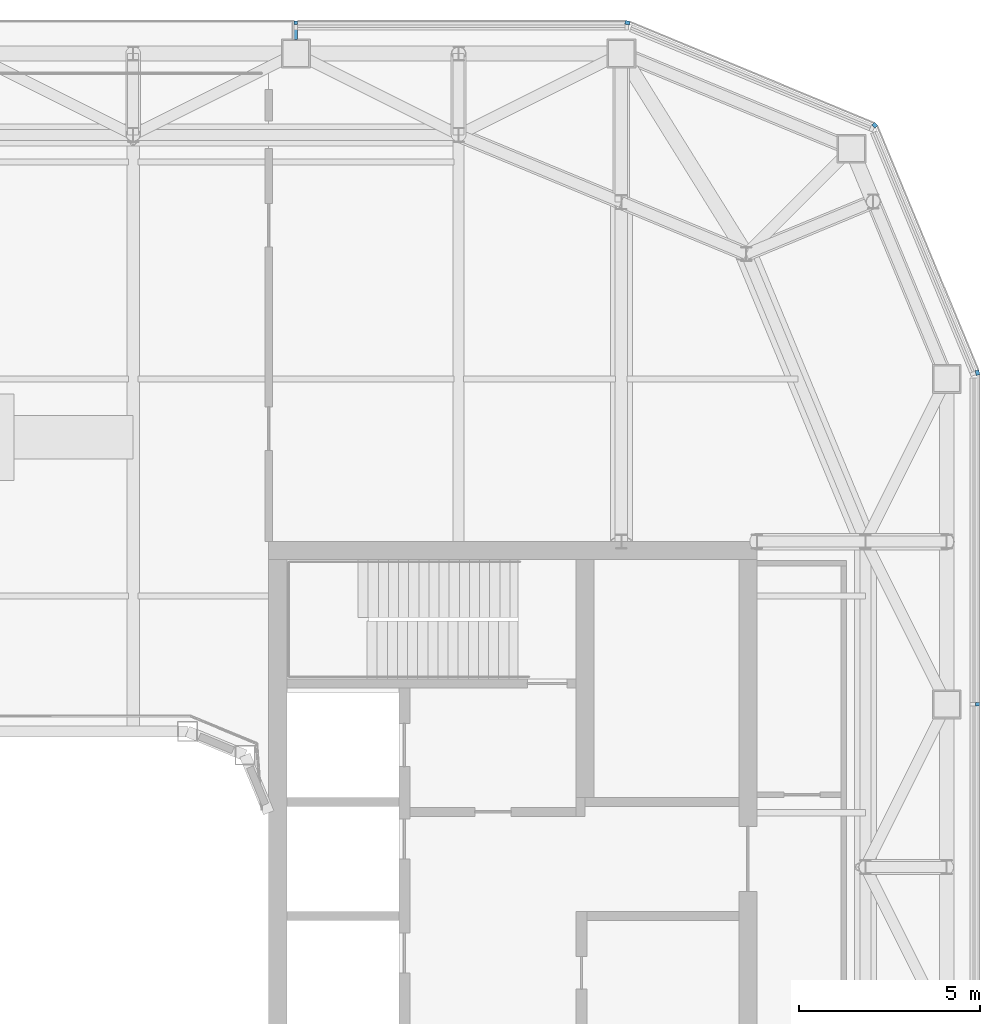
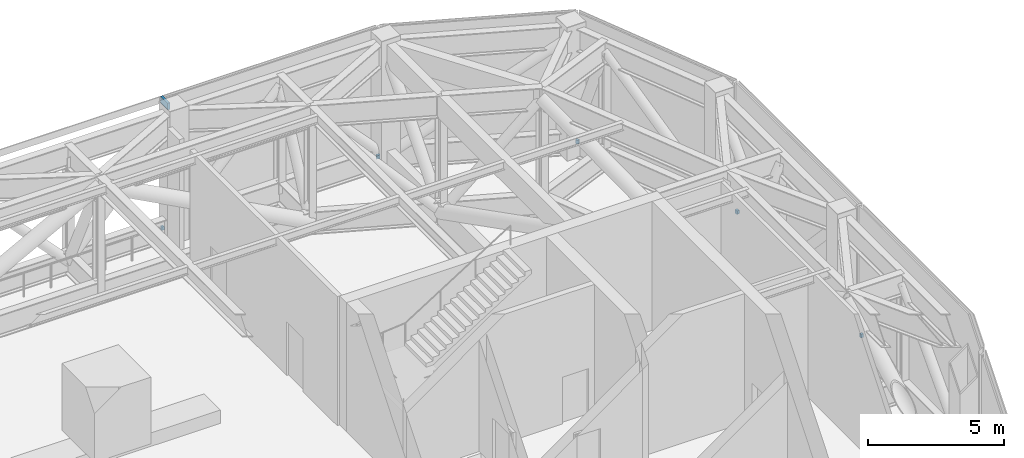
# One storey, part 17 of 21: 6 discrete accessories.
"""IFC4 building model written with IfcOpenShell, lengths in metres."""

import ifcopenshell
import ifcopenshell.guid

model = None  # the IFC model being written
_history = None  # IfcOwnerHistory: only IFC2X3 demands one
_inside = {}  # id of a spatial element -> (the spatial element, [elements in it])
_under = {}  # id of a project, library or spatial element -> (it, [spatial elements below it])
_declared = {}  # id of a project -> (the project, [libraries it declares])
_typed = {}  # id of a type object -> (the type object, [elements of that type])
_made_of = {}  # id of a material, layer set ... -> (it, [elements and type objects made of it])


def new_model(schema):
    """Start an empty IFC model of exactly this schema.

    Asked for "IFC4X3", IfcOpenShell would pick the latest addendum, in which some entities
    have other attributes; the version numbers below select the first issue.
    IFC2X3 requires an IfcOwnerHistory on every rooted entity: one is made here for all.
    """
    global model, _history
    if schema == "IFC4X3":
        model = ifcopenshell.file(schema_version=(4, 3, 0, 0))
    else:
        model = ifcopenshell.file(schema=schema)
    _inside.clear()
    _under.clear()
    _declared.clear()
    _typed.clear()
    _made_of.clear()
    _history = None
    if model.schema == "IFC2X3":
        org = make("IfcOrganization", Name="unknown")
        user = make(
            "IfcPersonAndOrganization",
            ThePerson=make("IfcPerson", FamilyName="unknown"),
            TheOrganization=org,
        )
        app = make(
            "IfcApplication",
            ApplicationDeveloper=org,
            Version="unknown",
            ApplicationFullName="unknown",
            ApplicationIdentifier="unknown",
        )
        _history = make(
            "IfcOwnerHistory",
            OwningUser=user,
            OwningApplication=app,
            ChangeAction="ADDED",
            CreationDate=0,
        )
    return model


def make(cls, **values):
    """One entity of the class cls with the attributes given. An attribute that is None is left unset."""
    return model.create_entity(
        cls, **{name: value for name, value in values.items() if value is not None}
    )


def rooted(cls, **values):
    """An entity with a GlobalId (a new one), such as an element, a storey or a relation."""
    return make(cls, GlobalId=ifcopenshell.guid.new(), OwnerHistory=_history, **values)


def si_unit(unit_type, name, prefix=None):
    """IfcSIUnit, for example si_unit("LENGTHUNIT", "METRE", prefix="MILLI")."""
    return make("IfcSIUnit", UnitType=unit_type, Prefix=prefix, Name=name)


def assignment(units):
    """IfcUnitAssignment: the units of a project."""
    return None if units is None else make("IfcUnitAssignment", Units=units)


def point(xyz):
    """IfcCartesianPoint."""
    return None if xyz is None else make("IfcCartesianPoint", Coordinates=xyz)


def direction(xyz):
    """IfcDirection."""
    return None if xyz is None else make("IfcDirection", DirectionRatios=xyz)


def frame(location, z_axis=None, x_axis=None):
    """IfcAxis2Placement3D, a coordinate frame: its origin and axes. An axis left out is left unset."""
    return make(
        "IfcAxis2Placement3D",
        Location=point(location),
        Axis=direction(z_axis),
        RefDirection=direction(x_axis),
    )


def frame_2d(location, x_axis=None):
    """IfcAxis2Placement2D, a coordinate frame in the plane: its origin and x axis."""
    return make(
        "IfcAxis2Placement2D", Location=point(location), RefDirection=direction(x_axis)
    )


def origin():
    """The frame at (0, 0, 0) with its axes left unset."""
    return frame((0.0, 0.0, 0.0))


def origin_2d():
    """The frame at (0, 0) in the plane with its x axis left unset."""
    return frame_2d((0.0, 0.0))


def place(relative_to, where):
    """IfcLocalPlacement: puts the frame where relative to a parent placement (None: the world)."""
    return make(
        "IfcLocalPlacement", PlacementRelTo=relative_to, RelativePlacement=where
    )


def context(
    kind, dimensions, precision=None, world=None, true_north=None, identifier=None
):
    """IfcGeometricRepresentationContext, for example the 3D "Model" context."""
    return make(
        "IfcGeometricRepresentationContext",
        ContextIdentifier=identifier,
        ContextType=kind,
        CoordinateSpaceDimension=dimensions,
        Precision=precision,
        WorldCoordinateSystem=world,
        TrueNorth=true_north,
    )


def subcontext(parent, identifier, kind, view, scale=None):
    """IfcGeometricRepresentationSubContext, for example "Body" below "Model"."""
    return make(
        "IfcGeometricRepresentationSubContext",
        ContextIdentifier=identifier,
        ContextType=kind,
        ParentContext=parent,
        TargetScale=scale,
        TargetView=view,
    )


def project(units=None, contexts=None):
    """IfcProject with its units and contexts."""
    return rooted(
        "IfcProject",
        Name="project",
        RepresentationContexts=contexts,
        UnitsInContext=assignment(units),
    )


def spatial(cls, under=None, at=None, **own):
    """A site, building, storey or space (cls), placed at a placement, below another one or the project."""
    s = rooted(cls, ObjectPlacement=at, **own)
    if under is not None:
        _under.setdefault(under.id(), (under, []))[1].append(s)
    return s


def profile(cls, at=None, kind="AREA", **sizes):
    """A parametric profile (cls). Its sizes go by their IFC names, for example OverallWidth=200.0."""
    return make(cls, ProfileType=kind, Position=at, **sizes)


def rectangle(**sizes):
    """IfcRectangleProfileDef."""
    return profile("IfcRectangleProfileDef", **sizes)


def extrude(swept, where, along, depth):
    """IfcExtrudedAreaSolid: the profile swept, set in the frame where, extruded along a direction by depth."""
    return make(
        "IfcExtrudedAreaSolid",
        SweptArea=swept,
        Position=where,
        ExtrudedDirection=direction(along),
        Depth=depth,
    )


def shape(context_of_items, identifier, shape_type, items):
    """IfcShapeRepresentation: the items that make up one representation, for example the "Body"."""
    return make(
        "IfcShapeRepresentation",
        ContextOfItems=context_of_items,
        RepresentationIdentifier=identifier,
        RepresentationType=shape_type,
        Items=items,
    )


def material(Name=None, Category=None):
    """IfcMaterial."""
    return make("IfcMaterial", Name=Name, Category=Category)


def made_of(thing, what):
    """Note that an element or type object is made of a material, layer set ...; save() writes the relation."""
    if what is not None:
        _made_of.setdefault(what.id(), (what, []))[1].append(thing)
    return thing


def type_object(cls, material=None, **own):
    """A type object (cls), such as IfcWallType, which elements share."""
    return made_of(rooted(cls, **own), material)


def element(
    cls,
    number,
    at=None,
    inside=None,
    cuts=None,
    type_object=None,
    material=None,
    context=None,
    identifier="Body",
    shape_type=None,
    held_by="IfcProductDefinitionShape",
    body=None,
    shapes=None,
    **own,
):
    """One element of the class cls, such as IfcWall. Its Tag is "e" and its number.

    at: its placement. inside: the storey or other place that contains it. cuts: it is an
    opening in that element (IfcRelVoidsElement). A single representation is given by context,
    identifier, shape_type and body (its items); several are given by shapes. held_by: the class
    of the entity that holds the representations. save() writes the other relations.
    """
    e = rooted(cls, Tag="e%d" % number, ObjectPlacement=at, **own)
    if body is not None:
        shapes = [shape(context, identifier, shape_type, body)]
    if shapes is not None:
        e.Representation = make(held_by, Representations=shapes)
    if inside is not None:
        _inside.setdefault(inside.id(), (inside, []))[1].append(e)
    if cuts is not None:
        rooted(
            "IfcRelVoidsElement", RelatingBuildingElement=cuts, RelatedOpeningElement=e
        )
    if type_object is not None:
        _typed.setdefault(type_object.id(), (type_object, []))[1].append(e)
    return made_of(e, material)


def aggregate(whole, parts):
    """IfcRelAggregates: a whole, such as a stair, and the parts it consists of."""
    return rooted("IfcRelAggregates", RelatingObject=whole, RelatedObjects=parts)


def save(model, path):
    """Write the relations noted so far, then the file.

    IfcRelAggregates (storeys below a building ...), IfcRelContainedInSpatialStructure (elements
    in a storey), IfcRelDefinesByType, IfcRelAssociatesMaterial and IfcRelDeclares: one each for
    every whole, place, type object, material and project.
    """
    for whole, parts in _under.values():
        aggregate(whole, parts)
    for where, things in _inside.values():
        rooted(
            "IfcRelContainedInSpatialStructure",
            RelatedElements=things,
            RelatingStructure=where,
        )
    for kind, things in _typed.values():
        rooted("IfcRelDefinesByType", RelatedObjects=things, RelatingType=kind)
    for what, things in _made_of.values():
        rooted("IfcRelAssociatesMaterial", RelatedObjects=things, RelatingMaterial=what)
    for by, libraries in _declared.values():
        rooted("IfcRelDeclares", RelatingContext=by, RelatedDefinitions=libraries)
    model.write(path)


model = new_model("IFC4")

# Units and contexts
model_context = context("Model", 3, precision=1e-05, world=origin(), true_north=direction((0.0, 1.0)))
body_context = subcontext(model_context, "Body", "Model", "MODEL_VIEW")
ifc_project = project(units=[si_unit("LENGTHUNIT", "METRE"), si_unit("AREAUNIT", "SQUARE_METRE"), si_unit("VOLUMEUNIT", "CUBIC_METRE"), si_unit("PLANEANGLEUNIT", "RADIAN"), si_unit("MASSUNIT", "GRAM", prefix="KILO")], contexts=[model_context])

# Site, building, storey
site_placement = place(None, origin())
site = spatial("IfcSite", under=ifc_project, at=site_placement, CompositionType="ELEMENT")
building_placement = place(site_placement, origin())
building = spatial("IfcBuilding", under=site, at=building_placement, Name="Siwar Civic Tower", CompositionType="ELEMENT")
storey_placement = place(building_placement, frame((0.0, 0.0, 278.199951171875)))
storey = spatial("IfcBuildingStorey", under=building, at=storey_placement, Name="L60", CompositionType="ELEMENT", Elevation=278.199951171875)

# Discrete accessories
ifc_material = material(Name="Stainless steel 316", Category="steel")
discrete_accessory_type = type_object("IfcDiscreteAccessoryType", Name="ENV-BRACKET", PredefinedType="BRACKET", material=ifc_material)
for number, where, z_axis, x_axis, name in (
    (1, (27.85009765625, 9.0, -0.1796875), (0.0, 0.0, 1.0), (1.0, 0.0, 0.0), "Bracket outer skin joint E-03"),
    (2, (9.0, 27.85009765625, -0.1796875), (0.0, 0.0, 1.0), (0.0, 1.0, 0.0), "Bracket outer skin joint N-01"),
):
    element("IfcDiscreteAccessory", number, at=place(storey_placement, frame(where, z_axis=z_axis, x_axis=x_axis)), inside=storey, type_object=discrete_accessory_type, Name=name, PredefinedType="BRACKET", context=body_context, shape_type="SweptSolid", body=[
        extrude(rectangle(XDim=0.10009765625, YDim=0.10009765625, at=origin_2d()), origin(), (0.0, 0.0, 1.0), 0.159912109375),
    ])
discrete_accessory_1_placement = place(storey_placement, frame((27.85009765625, 18.169189453125, -0.1796875), z_axis=(0.0, 0.0, 1.0), x_axis=(0.980785280403, 0.195090322016, 0.0)))
element("IfcDiscreteAccessory", 3, at=discrete_accessory_1_placement, inside=storey, type_object=discrete_accessory_type, Name="Bracket outer skin joint V04", PredefinedType="BRACKET", context=body_context, shape_type="SweptSolid", body=[
    extrude(rectangle(XDim=0.10205078125, YDim=0.13720703125, at=origin_2d()), origin(), (0.0, 0.0, 1.0), 0.159912109375),
])
discrete_accessory_2_placement = place(storey_placement, frame((25.014404296875, 25.014404296875, -0.1796875), z_axis=(0.0, 0.0, 1.0), x_axis=(0.707106781187, 0.707106781187, 0.0)))
element("IfcDiscreteAccessory", 4, at=discrete_accessory_2_placement, inside=storey, type_object=discrete_accessory_type, Name="Bracket outer skin joint V05", PredefinedType="BRACKET", context=body_context, shape_type="SweptSolid", body=[
    extrude(rectangle(XDim=0.108154296875, YDim=0.12939453125, at=origin_2d()), origin(), (0.0, 0.0, 1.0), 0.159912109375),
])
discrete_accessory_3_placement = place(storey_placement, frame((18.169189453125, 27.85009765625, -0.1796875), z_axis=(0.0, 0.0, 1.0), x_axis=(0.195090322016, 0.980785280403, 0.0)))
element("IfcDiscreteAccessory", 5, at=discrete_accessory_3_placement, inside=storey, type_object=discrete_accessory_type, Name="Bracket outer skin joint V06", PredefinedType="BRACKET", context=body_context, shape_type="SweptSolid", body=[
    extrude(rectangle(XDim=0.10205078125, YDim=0.13720703125, at=origin_2d()), origin(), (0.0, 0.0, 1.0), 0.159912109375),
])
discrete_accessory_4_placement = place(storey_placement, frame((9.0, 27.639892578125, 5.5), z_axis=(0.0, 0.0, 1.0), x_axis=(0.0, 1.0, 0.0)))
element("IfcDiscreteAccessory", 6, at=discrete_accessory_4_placement, inside=storey, type_object=discrete_accessory_type, Name="Bracket portal frame N L60", PredefinedType="BRACKET", context=body_context, shape_type="SweptSolid", body=[
    extrude(rectangle(XDim=0.52001953125, YDim=0.10009765625, at=origin_2d()), origin(), (0.0, 0.0, 1.0), 0.300048828125),
])

save(model, "model.ifc")
